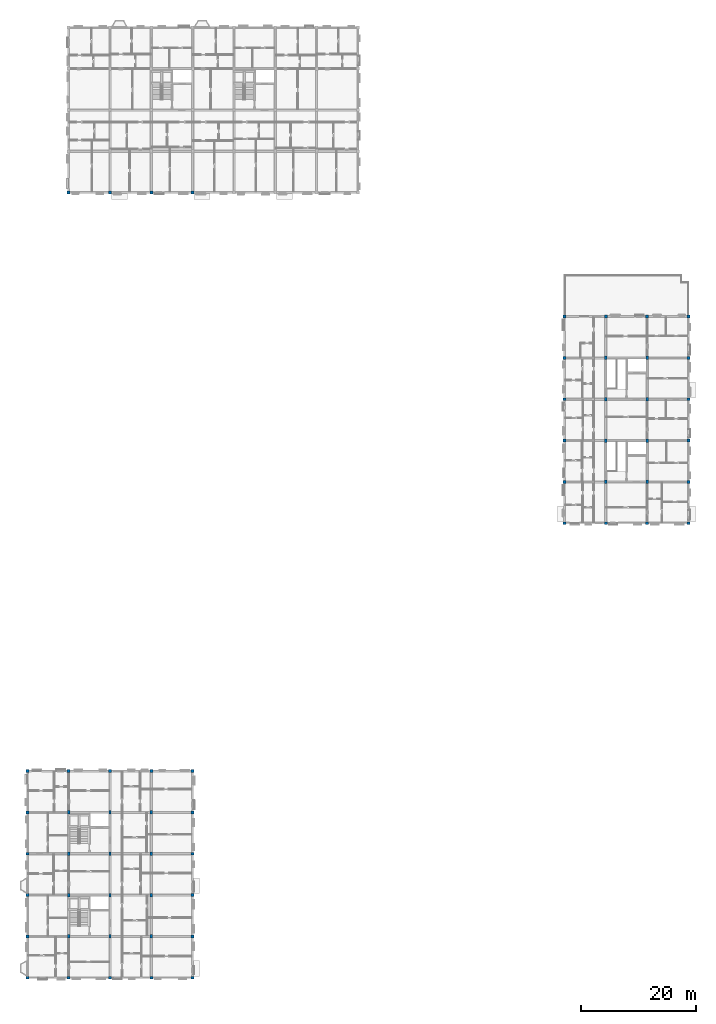
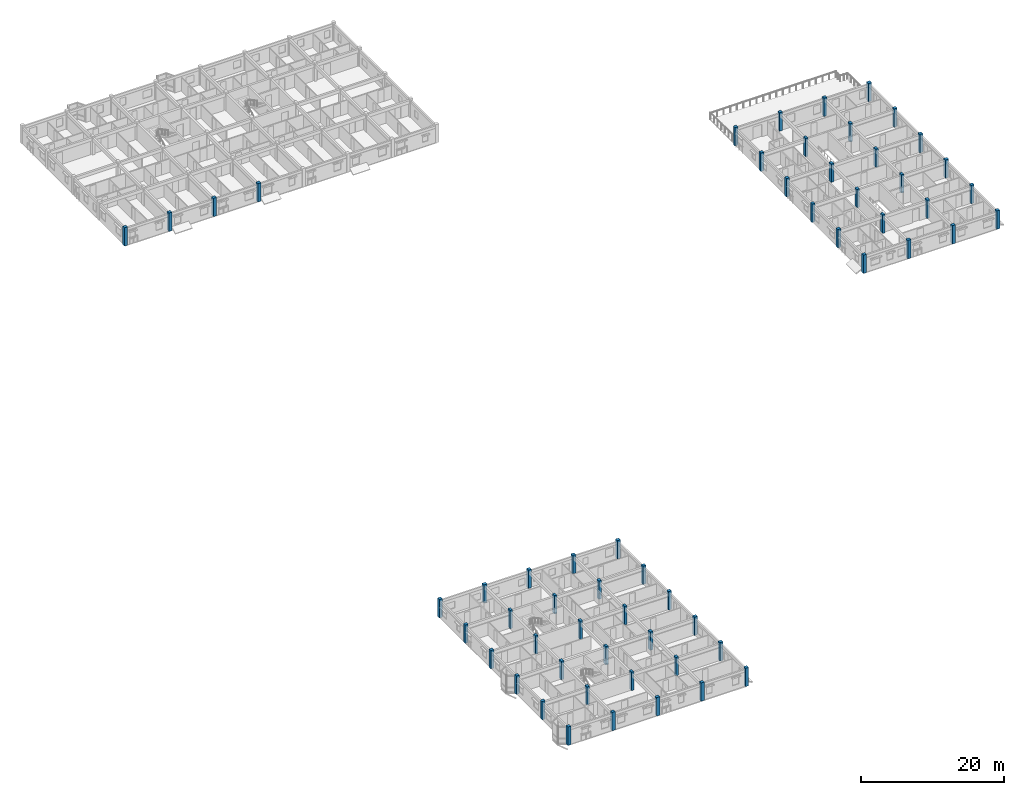
# One storey, part 1 of 38: 58 columns.
"""IFC4 building model written with IfcOpenShell, lengths in metres."""

from ifc_helpers import new_model, si_unit, direction, frame, origin, origin_2d, place, context, subcontext, project, spatial, rectangle, extrude, material, material_profile, profile_set, type_object, element, save


model = new_model("IFC4")

# Units and contexts
model_context = context("Model", 3, precision=1e-05, world=origin(), true_north=direction((0.0, 1.0)))
body_context = subcontext(model_context, "Body", "Model", "MODEL_VIEW")
ifc_project = project(units=[si_unit("LENGTHUNIT", "METRE"), si_unit("AREAUNIT", "SQUARE_METRE"), si_unit("VOLUMEUNIT", "CUBIC_METRE"), si_unit("PLANEANGLEUNIT", "RADIAN"), si_unit("MASSUNIT", "GRAM", prefix="KILO"), si_unit("THERMODYNAMICTEMPERATUREUNIT", "KELVIN"), si_unit("POWERUNIT", "WATT")], contexts=[model_context])

# Site, building, storey
site_placement = place(None, origin())
site = spatial("IfcSite", under=ifc_project, at=site_placement, CompositionType="ELEMENT")
building_placement = place(site_placement, origin())
building = spatial("IfcBuilding", under=site, at=building_placement, Name="Tavuni Mirador Residences", CompositionType="ELEMENT")
storey_placement = place(building_placement, frame((0.0, 0.0, 32.85009765625)))
storey = spatial("IfcBuildingStorey", under=building, at=storey_placement, Name="L10", CompositionType="ELEMENT", Elevation=32.85009765625)

# Columns
ifc_material = material(Name="Precast concrete C40/50", Category="concrete")
ifc_material_profile_1 = material_profile(ifc_material, rectangle(XDim=0.39990234375, YDim=0.60009765625, at=origin_2d()), Name="RC 400x600", Category="concrete")
ifc_profile_set_1 = profile_set([ifc_material_profile_1], Name="Precast concrete C40/50")
column_type_1 = type_object("IfcColumnType", Name="CT-RC400X600", PredefinedType="COLUMN", material=ifc_profile_set_1)
for number, where, z_axis, x_axis, name in (
    (1, (10.800048828125, 14.39990234375, 0.0), (0.0, 0.0, 1.0), (1.0, 0.0, 0.0), "COL-BLK-A-L10-01-01"),
    (2, (10.800048828125, 21.60009765625, 0.0), (0.0, 0.0, 1.0), (1.0, 0.0, 0.0), "COL-BLK-A-L10-01-02"),
    (3, (10.800048828125, 28.800048828125, 0.0), (0.0, 0.0, 1.0), (1.0, 0.0, 0.0), "COL-BLK-A-L10-01-03"),
    (4, (10.800048828125, 36.0, 0.0), (0.0, 0.0, 1.0), (1.0, 0.0, 0.0), "COL-BLK-A-L10-01-04"),
    (5, (18.0, 14.39990234375, 0.0), (0.0, 0.0, 1.0), (1.0, 0.0, 0.0), "COL-BLK-A-L10-02-01"),
    (6, (18.0, 21.60009765625, 0.0), (0.0, 0.0, 1.0), (1.0, 0.0, 0.0), "COL-BLK-A-L10-02-02"),
    (7, (18.0, 28.800048828125, 0.0), (0.0, 0.0, 1.0), (1.0, 0.0, 0.0), "COL-BLK-A-L10-02-03"),
    (8, (18.0, 36.0, 0.0), (0.0, 0.0, 1.0), (1.0, 0.0, 0.0), "COL-BLK-A-L10-02-04"),
    (9, (25.199951171875, 14.39990234375, 0.0), (0.0, 0.0, 1.0), (1.0, 0.0, 0.0), "COL-BLK-A-L10-03-01"),
    (10, (25.199951171875, 21.60009765625, 0.0), (0.0, 0.0, 1.0), (1.0, 0.0, 0.0), "COL-BLK-A-L10-03-02"),
    (11, (25.199951171875, 28.800048828125, 0.0), (0.0, 0.0, 1.0), (1.0, 0.0, 0.0), "COL-BLK-A-L10-03-03"),
    (12, (25.199951171875, 36.0, 0.0), (0.0, 0.0, 1.0), (1.0, 0.0, 0.0), "COL-BLK-A-L10-03-04"),
    (13, (104.39990234375, 93.60009765625, 0.0), (0.0, 0.0, 1.0), (1.0, 0.0, 0.0), "COL-BLK-D-L10-01-01"),
    (14, (104.39990234375, 100.800048828125, 0.0), (0.0, 0.0, 1.0), (1.0, 0.0, 0.0), "COL-BLK-D-L10-01-02"),
    (15, (104.39990234375, 108.0, 0.0), (0.0, 0.0, 1.0), (1.0, 0.0, 0.0), "COL-BLK-D-L10-01-03"),
    (16, (104.39990234375, 115.199951171875, 0.0), (0.0, 0.0, 1.0), (1.0, 0.0, 0.0), "COL-BLK-D-L10-01-04"),
    (17, (111.60009765625, 93.60009765625, 0.0), (0.0, 0.0, 1.0), (1.0, 0.0, 0.0), "COL-BLK-D-L10-02-01"),
    (18, (111.60009765625, 100.800048828125, 0.0), (0.0, 0.0, 1.0), (1.0, 0.0, 0.0), "COL-BLK-D-L10-02-02"),
    (19, (111.60009765625, 108.0, 0.0), (0.0, 0.0, 1.0), (1.0, 0.0, 0.0), "COL-BLK-D-L10-02-03"),
    (20, (111.60009765625, 115.199951171875, 0.0), (0.0, 0.0, 1.0), (1.0, 0.0, 0.0), "COL-BLK-D-L10-02-04"),
):
    element("IfcColumn", number, at=place(storey_placement, frame(where, z_axis=z_axis, x_axis=x_axis)), inside=storey, type_object=column_type_1, Name=name, PredefinedType="COLUMN", context=body_context, shape_type="SweptSolid", body=[
        extrude(rectangle(XDim=0.39990234375, YDim=0.60009765625, at=origin_2d()), origin(), (0.0, 0.0, 1.0), 3.14990234375),
    ])
ifc_material_profile_2 = material_profile(ifc_material, rectangle(XDim=0.5, YDim=0.5, at=origin_2d()), Name="RC 500x500", Category="concrete")
ifc_profile_set_2 = profile_set([ifc_material_profile_2], Name="Precast concrete C40/50")
column_type_2 = type_object("IfcColumnType", Name="CT-RC500", PredefinedType="COLUMN", material=ifc_profile_set_2)
for number, where, z_axis, x_axis, name in (
    (21, (3.60009765625, 7.199951171875, 0.0), (0.0, 0.0, 1.0), (1.0, 0.0, 0.0), "COL-BLK-A-L10-00-00"),
    (22, (3.60009765625, 14.39990234375, 0.0), (0.0, 0.0, 1.0), (1.0, 0.0, 0.0), "COL-BLK-A-L10-00-01"),
    (23, (3.60009765625, 21.60009765625, 0.0), (0.0, 0.0, 1.0), (1.0, 0.0, 0.0), "COL-BLK-A-L10-00-02"),
    (24, (3.60009765625, 28.800048828125, 0.0), (0.0, 0.0, 1.0), (1.0, 0.0, 0.0), "COL-BLK-A-L10-00-03"),
    (25, (3.60009765625, 36.0, 0.0), (0.0, 0.0, 1.0), (1.0, 0.0, 0.0), "COL-BLK-A-L10-00-04"),
    (26, (3.60009765625, 43.199951171875, 0.0), (0.0, 0.0, 1.0), (1.0, 0.0, 0.0), "COL-BLK-A-L10-00-05"),
    (27, (10.800048828125, 7.199951171875, 0.0), (0.0, 0.0, 1.0), (1.0, 0.0, 0.0), "COL-BLK-A-L10-01-00"),
    (28, (10.800048828125, 43.199951171875, 0.0), (0.0, 0.0, 1.0), (1.0, 0.0, 0.0), "COL-BLK-A-L10-01-05"),
    (29, (18.0, 7.199951171875, 0.0), (0.0, 0.0, 1.0), (1.0, 0.0, 0.0), "COL-BLK-A-L10-02-00"),
    (30, (18.0, 43.199951171875, 0.0), (0.0, 0.0, 1.0), (1.0, 0.0, 0.0), "COL-BLK-A-L10-02-05"),
    (31, (25.199951171875, 7.199951171875, 0.0), (0.0, 0.0, 1.0), (1.0, 0.0, 0.0), "COL-BLK-A-L10-03-00"),
    (32, (25.199951171875, 43.199951171875, 0.0), (0.0, 0.0, 1.0), (1.0, 0.0, 0.0), "COL-BLK-A-L10-03-05"),
    (33, (32.39990234375, 7.199951171875, 0.0), (0.0, 0.0, 1.0), (1.0, 0.0, 0.0), "COL-BLK-A-L10-04-00"),
    (34, (32.39990234375, 14.39990234375, 0.0), (0.0, 0.0, 1.0), (1.0, 0.0, 0.0), "COL-BLK-A-L10-04-01"),
    (35, (32.39990234375, 21.60009765625, 0.0), (0.0, 0.0, 1.0), (1.0, 0.0, 0.0), "COL-BLK-A-L10-04-02"),
    (36, (32.39990234375, 28.800048828125, 0.0), (0.0, 0.0, 1.0), (1.0, 0.0, 0.0), "COL-BLK-A-L10-04-03"),
    (37, (32.39990234375, 36.0, 0.0), (0.0, 0.0, 1.0), (1.0, 0.0, 0.0), "COL-BLK-A-L10-04-04"),
    (38, (32.39990234375, 43.199951171875, 0.0), (0.0, 0.0, 1.0), (1.0, 0.0, 0.0), "COL-BLK-A-L10-04-05"),
    (39, (10.800048828125, 144.0, 0.0), (0.0, 0.0, 1.0), (1.0, 0.0, 0.0), "COL-BLK-C-L10-00-00"),
    (40, (18.0, 144.0, 0.0), (0.0, 0.0, 1.0), (1.0, 0.0, 0.0), "COL-BLK-C-L10-01-00"),
    (41, (25.199951171875, 144.0, 0.0), (0.0, 0.0, 1.0), (1.0, 0.0, 0.0), "COL-BLK-C-L10-02-00"),
    (42, (32.39990234375, 144.0, 0.0), (0.0, 0.0, 1.0), (1.0, 0.0, 0.0), "COL-BLK-C-L10-03-00"),
    (43, (97.199951171875, 86.39990234375, 0.0), (0.0, 0.0, 1.0), (1.0, 0.0, 0.0), "COL-BLK-D-L10-00-00"),
    (44, (97.199951171875, 93.60009765625, 0.0), (0.0, 0.0, 1.0), (1.0, 0.0, 0.0), "COL-BLK-D-L10-00-01"),
    (45, (97.199951171875, 100.800048828125, 0.0), (0.0, 0.0, 1.0), (1.0, 0.0, 0.0), "COL-BLK-D-L10-00-02"),
    (46, (97.199951171875, 108.0, 0.0), (0.0, 0.0, 1.0), (1.0, 0.0, 0.0), "COL-BLK-D-L10-00-03"),
    (47, (97.199951171875, 115.199951171875, 0.0), (0.0, 0.0, 1.0), (1.0, 0.0, 0.0), "COL-BLK-D-L10-00-04"),
    (48, (97.199951171875, 122.39990234375, 0.0), (0.0, 0.0, 1.0), (1.0, 0.0, 0.0), "COL-BLK-D-L10-00-05"),
    (49, (104.39990234375, 86.39990234375, 0.0), (0.0, 0.0, 1.0), (1.0, 0.0, 0.0), "COL-BLK-D-L10-01-00"),
    (50, (104.39990234375, 122.39990234375, 0.0), (0.0, 0.0, 1.0), (1.0, 0.0, 0.0), "COL-BLK-D-L10-01-05"),
    (51, (111.60009765625, 86.39990234375, 0.0), (0.0, 0.0, 1.0), (1.0, 0.0, 0.0), "COL-BLK-D-L10-02-00"),
    (52, (111.60009765625, 122.39990234375, 0.0), (0.0, 0.0, 1.0), (1.0, 0.0, 0.0), "COL-BLK-D-L10-02-05"),
    (53, (118.800048828125, 86.39990234375, 0.0), (0.0, 0.0, 1.0), (1.0, 0.0, 0.0), "COL-BLK-D-L10-03-00"),
    (54, (118.800048828125, 93.60009765625, 0.0), (0.0, 0.0, 1.0), (1.0, 0.0, 0.0), "COL-BLK-D-L10-03-01"),
    (55, (118.800048828125, 100.800048828125, 0.0), (0.0, 0.0, 1.0), (1.0, 0.0, 0.0), "COL-BLK-D-L10-03-02"),
    (56, (118.800048828125, 108.0, 0.0), (0.0, 0.0, 1.0), (1.0, 0.0, 0.0), "COL-BLK-D-L10-03-03"),
    (57, (118.800048828125, 115.199951171875, 0.0), (0.0, 0.0, 1.0), (1.0, 0.0, 0.0), "COL-BLK-D-L10-03-04"),
    (58, (118.800048828125, 122.39990234375, 0.0), (0.0, 0.0, 1.0), (1.0, 0.0, 0.0), "COL-BLK-D-L10-03-05"),
):
    element("IfcColumn", number, at=place(storey_placement, frame(where, z_axis=z_axis, x_axis=x_axis)), inside=storey, type_object=column_type_2, Name=name, PredefinedType="COLUMN", context=body_context, shape_type="SweptSolid", body=[
        extrude(rectangle(XDim=0.5, YDim=0.5, at=origin_2d()), origin(), (0.0, 0.0, 1.0), 3.14990234375),
    ])

save(model, "model.ifc")
